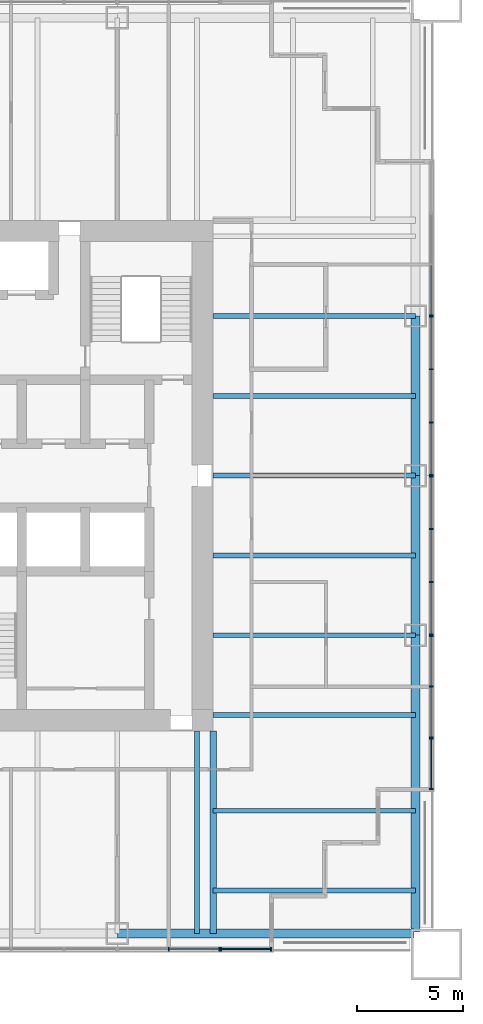
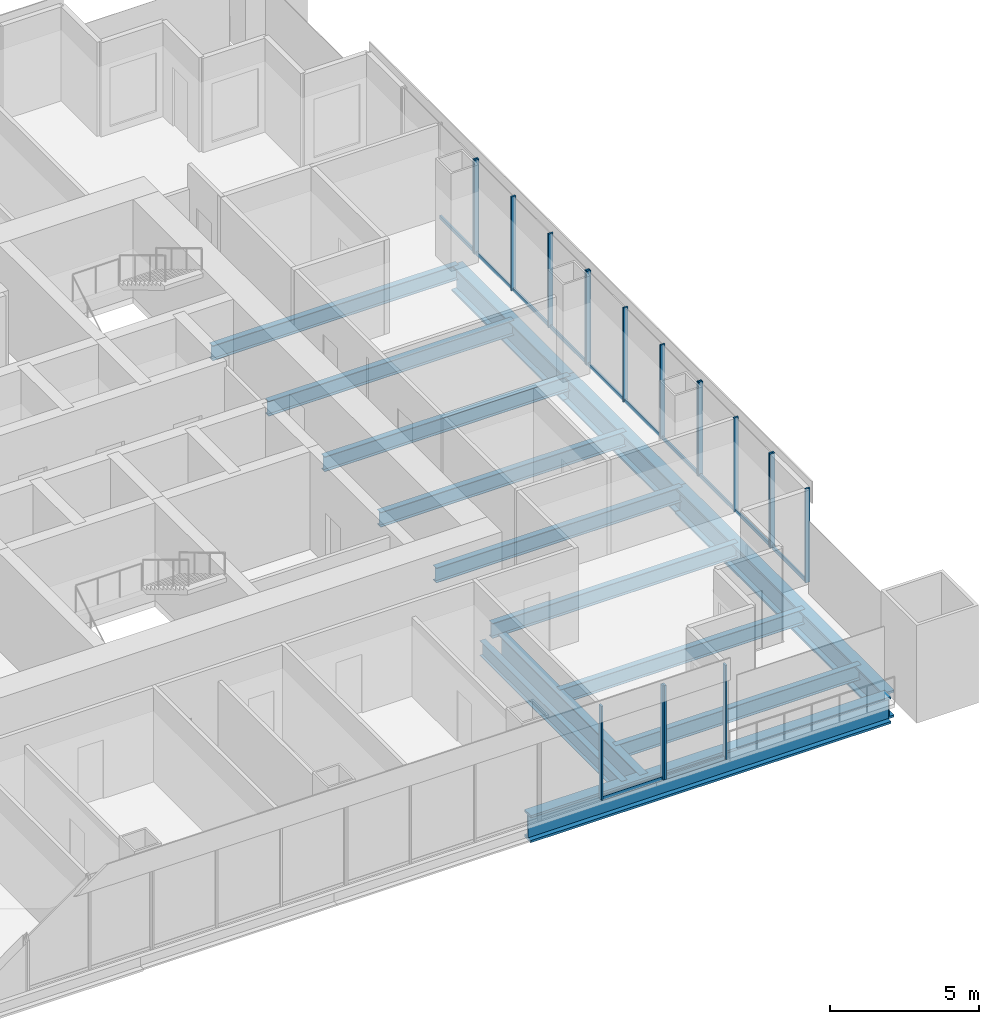
# One storey, part 4 of 13: 30 members, 14 beams, 7 elements without a shape of their own.
"""IFC4 building model written with IfcOpenShell, lengths in metres."""

from ifc_helpers import new_model, si_unit, direction, frame, origin, origin_2d, place, context, subcontext, project, spatial, rectangle, i_section, extrude, material, material_profile, profile_set, type_object, element, aggregate, save


model = new_model("IFC4")

# Units and contexts
model_context = context("Model", 3, precision=1e-05, world=origin(), true_north=direction((0.0, 1.0)))
body_context = subcontext(model_context, "Body", "Model", "MODEL_VIEW")
ifc_project = project(units=[si_unit("LENGTHUNIT", "METRE"), si_unit("AREAUNIT", "SQUARE_METRE"), si_unit("VOLUMEUNIT", "CUBIC_METRE"), si_unit("PLANEANGLEUNIT", "RADIAN"), si_unit("MASSUNIT", "GRAM", prefix="KILO")], contexts=[model_context])

# Site, building, storey
site_placement = place(None, origin())
site = spatial("IfcSite", under=ifc_project, at=site_placement, CompositionType="ELEMENT")
building_placement = place(site_placement, origin())
building = spatial("IfcBuilding", under=site, at=building_placement, Name="Tarangal Relay Tower", CompositionType="ELEMENT")
storey_placement = place(building_placement, frame((0.0, 0.0, 181.89990234375)))
storey = spatial("IfcBuildingStorey", under=building, at=storey_placement, Name="L37", CompositionType="ELEMENT", Elevation=181.89990234375)

# Beams
ifc_material_1 = material(Name="Steel ASTM A992", Category="steel")
ifc_material_profile_1 = material_profile(ifc_material_1, i_section(OverallWidth=0.227783203125, OverallDepth=0.60205078125, WebThickness=0.010498046875, FlangeThickness=0.014892578125, at=origin_2d()), Name="W24X68")
ifc_profile_set_1 = profile_set([ifc_material_profile_1], Name="Steel ASTM A992")
beam_type_1 = type_object("IfcBeamType", Name="Corner beam W24X68", PredefinedType="JOIST", material=ifc_profile_set_1)
for number, where, z_axis, x_axis, name in (
    (1, (12.0, -15.75, -0.450927734375), (1.0, 0.0, 0.0), (0.0, 1.0, 0.0), "Corner beam CB11 E L37"),
    (2, (12.0, -19.5, -0.450927734375), (1.0, 0.0, 0.0), (0.0, 1.0, 0.0), "Corner beam CB11 E L37"),
):
    element("IfcBeam", number, at=place(storey_placement, frame(where, z_axis=z_axis, x_axis=x_axis)), inside=storey, type_object=beam_type_1, Name=name, PredefinedType="JOIST", context=body_context, shape_type="SweptSolid", body=[
        extrude(i_section(OverallWidth=0.227783203125, OverallDepth=0.60205078125, WebThickness=0.010498046875, FlangeThickness=0.014892578125, at=origin_2d()), origin(), (0.0, 0.0, 1.0), 9.514892578125),
    ])
ifc_material_profile_2 = material_profile(ifc_material_1, i_section(OverallWidth=0.307373046875, OverallDepth=0.9423828125, WebThickness=0.022216796875, FlangeThickness=0.039794921875, at=origin_2d()), Name="W36X232")
ifc_profile_set_2 = profile_set([ifc_material_profile_2], Name="Steel ASTM A992")
beam_type_2 = type_object("IfcBeamType", Name="Corner girder W36X232", PredefinedType="BEAM", material=ifc_profile_set_2)
beam_placement = place(storey_placement, frame((12.0, -12.0, -0.62109375), z_axis=(0.0, -1.0, 0.0), x_axis=(1.0, 0.0, 0.0)))
element("IfcBeam", 3, at=beam_placement, inside=storey, type_object=beam_type_2, Name="Corner girder CG4 E L37", PredefinedType="BEAM", context=body_context, shape_type="SweptSolid", body=[
    extrude(i_section(OverallWidth=0.307373046875, OverallDepth=0.9423828125, WebThickness=0.022216796875, FlangeThickness=0.039794921875, at=origin_2d()), origin(), (0.0, 0.0, 1.0), 9.514892578125),
])
ifc_material_profile_3 = material_profile(ifc_material_1, i_section(OverallWidth=0.41650390625, OverallDepth=1.0693359375, WebThickness=0.0390625, FlangeThickness=0.070068359375, at=origin_2d()), Name="W40X503")
ifc_profile_set_3 = profile_set([ifc_material_profile_3], Name="Steel ASTM A992")
beam_type_3 = type_object("IfcBeamType", Name="Edge girder W40X503", PredefinedType="SPANDREL", material=ifc_profile_set_3)
for number, where, z_axis, x_axis, name in (
    (4, (21.514892578125, 7.5, -0.6845703125), (0.0, -1.0, 0.0), (1.0, 0.0, 0.0), "Edge girder EG8 E L37"),
    (5, (21.514892578125, 0.0, -0.6845703125), (0.0, -1.0, 0.0), (1.0, 0.0, 0.0), "Edge girder EG8 E L37"),
):
    element("IfcBeam", number, at=place(storey_placement, frame(where, z_axis=z_axis, x_axis=x_axis)), inside=storey, type_object=beam_type_3, Name=name, PredefinedType="SPANDREL", context=body_context, shape_type="SweptSolid", body=[
        extrude(i_section(OverallWidth=0.41650390625, OverallDepth=1.0693359375, WebThickness=0.0390625, FlangeThickness=0.070068359375, at=origin_2d()), origin(), (0.0, 0.0, 1.0), 7.5),
    ])
ifc_material_profile_4 = material_profile(ifc_material_1, i_section(OverallWidth=0.42919921875, OverallDepth=1.107421875, WebThickness=0.050048828125, FlangeThickness=0.08984375, at=origin_2d()), Name="W40X655")
ifc_profile_set_4 = profile_set([ifc_material_profile_4], Name="Steel ASTM A992")
beam_type_4 = type_object("IfcBeamType", Name="Edge girder W40X655", PredefinedType="SPANDREL", material=ifc_profile_set_4)
for number, where, z_axis, x_axis, name in (
    (6, (21.514892578125, -7.5, -0.70361328125), (0.0, -1.0, 0.0), (1.0, 0.0, 0.0), "Edge girder EG10 E L37"),
    (7, (21.449951171875, -21.514892578125, -0.70361328125), (-1.0, 0.0, 0.0), (0.0, -1.0, 0.0), "Edge girder EG10 S L37"),
):
    element("IfcBeam", number, at=place(storey_placement, frame(where, z_axis=z_axis, x_axis=x_axis)), inside=storey, type_object=beam_type_4, Name=name, PredefinedType="SPANDREL", context=body_context, shape_type="SweptSolid", body=[
        extrude(i_section(OverallWidth=0.42919921875, OverallDepth=1.107421875, WebThickness=0.050048828125, FlangeThickness=0.08984375, at=origin_2d()), origin(), (0.0, 0.0, 1.0), 13.949951171875),
    ])
ifc_material_profile_5 = material_profile(ifc_material_1, i_section(OverallWidth=0.22900390625, OverallDepth=0.612060546875, WebThickness=0.011962890625, FlangeThickness=0.01953125, at=origin_2d()), Name="W24X84")
ifc_profile_set_5 = profile_set([ifc_material_profile_5], Name="Steel ASTM A992")
beam_type_5 = type_object("IfcBeamType", Name="Floor beam W24X84", PredefinedType="BEAM", material=ifc_profile_set_5)
for number, where, z_axis, x_axis, name in (
    (8, (12.0, 7.5, -0.455810546875), (1.0, 0.0, 0.0), (0.0, 1.0, 0.0), "Floor beam RB12 E L37"),
    (9, (12.0, 3.75, -0.455810546875), (1.0, 0.0, 0.0), (0.0, 1.0, 0.0), "Floor beam RB12 E L37"),
    (10, (12.0, 0.0, -0.455810546875), (1.0, 0.0, 0.0), (0.0, 1.0, 0.0), "Floor beam RB12 E L37"),
    (11, (12.0, -3.75, -0.455810546875), (1.0, 0.0, 0.0), (0.0, 1.0, 0.0), "Floor beam RB12 E L37"),
    (12, (12.0, -7.5, -0.455810546875), (1.0, 0.0, 0.0), (0.0, 1.0, 0.0), "Floor beam RB12 E L37"),
    (13, (12.0, -11.25, -0.455810546875), (1.0, 0.0, 0.0), (0.0, 1.0, 0.0), "Floor beam RB12 E L37"),
    (14, (11.25, -12.0, -0.455810546875), (0.0, -1.0, 0.0), (1.0, 0.0, 0.0), "Floor beam RB12 S L37"),
):
    element("IfcBeam", number, at=place(storey_placement, frame(where, z_axis=z_axis, x_axis=x_axis)), inside=storey, type_object=beam_type_5, Name=name, PredefinedType="BEAM", context=body_context, shape_type="SweptSolid", body=[
        extrude(i_section(OverallWidth=0.22900390625, OverallDepth=0.612060546875, WebThickness=0.011962890625, FlangeThickness=0.01953125, at=origin_2d()), origin(), (0.0, 0.0, 1.0), 9.514892578125),
    ])

# Curtain wall, member
ifc_material_2 = material(Name="Unitised curtain wall, dark glass and black aluminium", Category="aluminium")
curtain_wall_type_1 = type_object("IfcCurtainWallType", Name="Curtain wall CW-A", PredefinedType="USERDEFINED", material=ifc_material_2)
curtain_wall_1_placement = place(storey_placement, origin())
curtain_wall_1 = element("IfcCurtainWall", 15, at=curtain_wall_1_placement, inside=storey, type_object=curtain_wall_type_1, Name="Curtain wall CW-A E facade L37", ObjectType="UNITISED CURTAIN WALL", PredefinedType="USERDEFINED")
ifc_material_3 = material(Name="Black anodised aluminium mullion", Category="aluminium")
ifc_material_profile_6 = material_profile(ifc_material_3, rectangle(XDim=0.175048828125, YDim=0.06494140625, at=origin_2d()), Name="CW-AM 65X175")
ifc_profile_set_6 = profile_set([ifc_material_profile_6], Name="Black anodised aluminium mullion")
member_type_1 = type_object("IfcMemberType", Name="Mullion CW-A 65 x 175", PredefinedType="MULLION", material=ifc_profile_set_6)
member_1_placement = place(storey_placement, frame((22.25, 7.532470703125, 0.0), z_axis=(0.0, 0.0, 1.0), x_axis=(1.0, 0.0, 0.0)))
member_1 = element("IfcMember", 16, at=member_1_placement, type_object=member_type_1, Name="CW-A mullion 3", PredefinedType="MULLION", context=body_context, shape_type="SweptSolid", body=[
    extrude(rectangle(XDim=0.175048828125, YDim=0.06494140625, at=origin_2d()), origin(), (0.0, 0.0, 1.0), 3.85009765625),
])

# Curtain wall, members
curtain_wall_2_placement = place(storey_placement, origin())
curtain_wall_2 = element("IfcCurtainWall", 17, at=curtain_wall_2_placement, inside=storey, type_object=curtain_wall_type_1, Name="Curtain wall CW-A E facade L37", ObjectType="UNITISED CURTAIN WALL", PredefinedType="USERDEFINED")
member_2_placement = place(storey_placement, frame((22.25, 7.467529296875, 0.0), z_axis=(0.0, 0.0, 1.0), x_axis=(1.0, 0.0, 0.0)))
member_2 = element("IfcMember", 18, at=member_2_placement, type_object=member_type_1, Name="CW-A mullion 1", PredefinedType="MULLION", context=body_context, shape_type="SweptSolid", body=[
    extrude(rectangle(XDim=0.175048828125, YDim=0.06494140625, at=origin_2d()), origin(), (0.0, 0.0, 1.0), 3.85009765625),
])
member_3_placement = place(storey_placement, frame((22.25, 5.0, 0.0), z_axis=(0.0, 0.0, 1.0), x_axis=(1.0, 0.0, 0.0)))
member_3 = element("IfcMember", 19, at=member_3_placement, type_object=member_type_1, Name="CW-A mullion 2", PredefinedType="MULLION", context=body_context, shape_type="SweptSolid", body=[
    extrude(rectangle(XDim=0.175048828125, YDim=0.06494140625, at=origin_2d()), origin(), (0.0, 0.0, 1.0), 3.85009765625),
])
member_4_placement = place(storey_placement, frame((22.25, 2.5, 0.0), z_axis=(0.0, 0.0, 1.0), x_axis=(1.0, 0.0, 0.0)))
member_4 = element("IfcMember", 20, at=member_4_placement, type_object=member_type_1, Name="CW-A mullion 3", PredefinedType="MULLION", context=body_context, shape_type="SweptSolid", body=[
    extrude(rectangle(XDim=0.175048828125, YDim=0.06494140625, at=origin_2d()), origin(), (0.0, 0.0, 1.0), 3.85009765625),
])
member_5_placement = place(storey_placement, frame((22.25, 0.032470703125, 0.0), z_axis=(0.0, 0.0, 1.0), x_axis=(1.0, 0.0, 0.0)))
member_5 = element("IfcMember", 21, at=member_5_placement, type_object=member_type_1, Name="CW-A mullion 4", PredefinedType="MULLION", context=body_context, shape_type="SweptSolid", body=[
    extrude(rectangle(XDim=0.175048828125, YDim=0.06494140625, at=origin_2d()), origin(), (0.0, 0.0, 1.0), 3.85009765625),
])

curtain_wall_3_placement = place(storey_placement, origin())
curtain_wall_3 = element("IfcCurtainWall", 22, at=curtain_wall_3_placement, inside=storey, type_object=curtain_wall_type_1, Name="Curtain wall CW-A E facade L37", ObjectType="UNITISED CURTAIN WALL", PredefinedType="USERDEFINED")
member_6_placement = place(storey_placement, frame((22.25, -0.032470703125, 0.0), z_axis=(0.0, 0.0, 1.0), x_axis=(1.0, 0.0, 0.0)))
member_6 = element("IfcMember", 23, at=member_6_placement, type_object=member_type_1, Name="CW-A mullion 1", PredefinedType="MULLION", context=body_context, shape_type="SweptSolid", body=[
    extrude(rectangle(XDim=0.175048828125, YDim=0.06494140625, at=origin_2d()), origin(), (0.0, 0.0, 1.0), 3.85009765625),
])
member_7_placement = place(storey_placement, frame((22.25, -2.5, 0.0), z_axis=(0.0, 0.0, 1.0), x_axis=(1.0, 0.0, 0.0)))
member_7 = element("IfcMember", 24, at=member_7_placement, type_object=member_type_1, Name="CW-A mullion 2", PredefinedType="MULLION", context=body_context, shape_type="SweptSolid", body=[
    extrude(rectangle(XDim=0.175048828125, YDim=0.06494140625, at=origin_2d()), origin(), (0.0, 0.0, 1.0), 3.85009765625),
])
member_8_placement = place(storey_placement, frame((22.25, -5.0, 0.0), z_axis=(0.0, 0.0, 1.0), x_axis=(1.0, 0.0, 0.0)))
member_8 = element("IfcMember", 25, at=member_8_placement, type_object=member_type_1, Name="CW-A mullion 3", PredefinedType="MULLION", context=body_context, shape_type="SweptSolid", body=[
    extrude(rectangle(XDim=0.175048828125, YDim=0.06494140625, at=origin_2d()), origin(), (0.0, 0.0, 1.0), 3.85009765625),
])
member_9_placement = place(storey_placement, frame((22.25, -7.467529296875, 0.0), z_axis=(0.0, 0.0, 1.0), x_axis=(1.0, 0.0, 0.0)))
member_9 = element("IfcMember", 26, at=member_9_placement, type_object=member_type_1, Name="CW-A mullion 4", PredefinedType="MULLION", context=body_context, shape_type="SweptSolid", body=[
    extrude(rectangle(XDim=0.175048828125, YDim=0.06494140625, at=origin_2d()), origin(), (0.0, 0.0, 1.0), 3.85009765625),
])

curtain_wall_4_placement = place(storey_placement, origin())
curtain_wall_4 = element("IfcCurtainWall", 27, at=curtain_wall_4_placement, inside=storey, type_object=curtain_wall_type_1, Name="Curtain wall CW-A E facade L37", ObjectType="UNITISED CURTAIN WALL", PredefinedType="USERDEFINED")
member_10_placement = place(storey_placement, frame((22.25, -7.532470703125, 0.0), z_axis=(0.0, 0.0, 1.0), x_axis=(1.0, 0.0, 0.0)))
member_10 = element("IfcMember", 28, at=member_10_placement, type_object=member_type_1, Name="CW-A mullion 1", PredefinedType="MULLION", context=body_context, shape_type="SweptSolid", body=[
    extrude(rectangle(XDim=0.175048828125, YDim=0.06494140625, at=origin_2d()), origin(), (0.0, 0.0, 1.0), 3.85009765625),
])
member_11_placement = place(storey_placement, frame((22.25, -9.916748046875, 0.0), z_axis=(0.0, 0.0, 1.0), x_axis=(1.0, 0.0, 0.0)))
member_11 = element("IfcMember", 29, at=member_11_placement, type_object=member_type_1, Name="CW-A mullion 2", PredefinedType="MULLION", context=body_context, shape_type="SweptSolid", body=[
    extrude(rectangle(XDim=0.175048828125, YDim=0.06494140625, at=origin_2d()), origin(), (0.0, 0.0, 1.0), 3.85009765625),
])
member_12_placement = place(storey_placement, frame((22.25, -12.30078125, 0.0), z_axis=(0.0, 0.0, 1.0), x_axis=(1.0, 0.0, 0.0)))
member_12 = element("IfcMember", 30, at=member_12_placement, type_object=member_type_1, Name="CW-A mullion 3", PredefinedType="MULLION", context=body_context, shape_type="SweptSolid", body=[
    extrude(rectangle(XDim=0.175048828125, YDim=0.06494140625, at=origin_2d()), origin(), (0.0, 0.0, 1.0), 3.85009765625),
])

curtain_wall_5_placement = place(storey_placement, origin())
curtain_wall_5 = element("IfcCurtainWall", 31, at=curtain_wall_5_placement, inside=storey, type_object=curtain_wall_type_1, Name="Curtain wall CW-A S facade L37", ObjectType="UNITISED CURTAIN WALL", PredefinedType="USERDEFINED")
member_13_placement = place(storey_placement, frame((12.30078125, -22.25, 0.0), z_axis=(0.0, 0.0, 1.0), x_axis=(0.0, -1.0, 0.0)))
member_13 = element("IfcMember", 32, at=member_13_placement, type_object=member_type_1, Name="CW-A mullion 1", PredefinedType="MULLION", context=body_context, shape_type="SweptSolid", body=[
    extrude(rectangle(XDim=0.175048828125, YDim=0.06494140625, at=origin_2d()), origin(), (0.0, 0.0, 1.0), 3.85009765625),
])
member_14_placement = place(storey_placement, frame((9.916748046875, -22.25, 0.0), z_axis=(0.0, 0.0, 1.0), x_axis=(0.0, -1.0, 0.0)))
member_14 = element("IfcMember", 33, at=member_14_placement, type_object=member_type_1, Name="CW-A mullion 2", PredefinedType="MULLION", context=body_context, shape_type="SweptSolid", body=[
    extrude(rectangle(XDim=0.175048828125, YDim=0.06494140625, at=origin_2d()), origin(), (0.0, 0.0, 1.0), 3.85009765625),
])

ifc_material_4 = material(Name="Unitised curtain wall frame, black aluminium, with metal clad infill walls", Category="aluminium")
curtain_wall_type_2 = type_object("IfcCurtainWallType", Name="Curtain wall CW-AO", PredefinedType="USERDEFINED", material=ifc_material_4)
curtain_wall_6_placement = place(storey_placement, origin())
curtain_wall_6 = element("IfcCurtainWall", 34, at=curtain_wall_6_placement, inside=storey, type_object=curtain_wall_type_2, Name="Curtain wall CW-AO E facade L37", ObjectType="UNITISED CURTAIN WALL", PredefinedType="USERDEFINED")
ifc_material_profile_7 = material_profile(ifc_material_3, rectangle(XDim=0.175048828125, YDim=0.06494140625, at=origin_2d()), Name="CW-AOM 65X175")
ifc_profile_set_7 = profile_set([ifc_material_profile_7], Name="Black anodised aluminium mullion")
member_type_2 = type_object("IfcMemberType", Name="Mullion CW-AO 65 x 175", PredefinedType="MULLION", material=ifc_profile_set_7)
member_15_placement = place(storey_placement, frame((22.25, -12.36572265625, 0.0), z_axis=(0.0, 0.0, 1.0), x_axis=(1.0, 0.0, 0.0)))
member_15 = element("IfcMember", 35, at=member_15_placement, type_object=member_type_2, Name="CW-AO mullion 1", PredefinedType="MULLION", context=body_context, shape_type="SweptSolid", body=[
    extrude(rectangle(XDim=0.175048828125, YDim=0.06494140625, at=origin_2d()), origin(), (0.0, 0.0, 1.0), 3.85009765625),
])
member_16_placement = place(storey_placement, frame((22.25, -14.717529296875, 0.0), z_axis=(0.0, 0.0, 1.0), x_axis=(1.0, 0.0, 0.0)))
member_16 = element("IfcMember", 36, at=member_16_placement, type_object=member_type_2, Name="CW-AO mullion 2", PredefinedType="MULLION", context=body_context, shape_type="SweptSolid", body=[
    extrude(rectangle(XDim=0.175048828125, YDim=0.06494140625, at=origin_2d()), origin(), (0.0, 0.0, 1.0), 3.85009765625),
])

curtain_wall_7_placement = place(storey_placement, origin())
curtain_wall_7 = element("IfcCurtainWall", 37, at=curtain_wall_7_placement, inside=storey, type_object=curtain_wall_type_2, Name="Curtain wall CW-AO S facade L37", ObjectType="UNITISED CURTAIN WALL", PredefinedType="USERDEFINED")
member_17_placement = place(storey_placement, frame((14.717529296875, -22.25, 0.0), z_axis=(0.0, 0.0, 1.0), x_axis=(0.0, -1.0, 0.0)))
member_17 = element("IfcMember", 38, at=member_17_placement, type_object=member_type_2, Name="CW-AO mullion 1", PredefinedType="MULLION", context=body_context, shape_type="SweptSolid", body=[
    extrude(rectangle(XDim=0.175048828125, YDim=0.06494140625, at=origin_2d()), origin(), (0.0, 0.0, 1.0), 3.85009765625),
])
member_18_placement = place(storey_placement, frame((12.36572265625, -22.25, 0.0), z_axis=(0.0, 0.0, 1.0), x_axis=(0.0, -1.0, 0.0)))
member_18 = element("IfcMember", 39, at=member_18_placement, type_object=member_type_2, Name="CW-AO mullion 2", PredefinedType="MULLION", context=body_context, shape_type="SweptSolid", body=[
    extrude(rectangle(XDim=0.175048828125, YDim=0.06494140625, at=origin_2d()), origin(), (0.0, 0.0, 1.0), 3.85009765625),
])

# Member
ifc_material_5 = material(Name="Black anodised aluminium transom", Category="aluminium")
ifc_material_profile_8 = material_profile(ifc_material_5, rectangle(XDim=0.06494140625, YDim=0.14990234375, at=origin_2d()), Name="CW-AT 65X150")
ifc_profile_set_8 = profile_set([ifc_material_profile_8], Name="Black anodised aluminium transom")
member_type_3 = type_object("IfcMemberType", Name="Transom CW-A 65 x 150", PredefinedType="USERDEFINED", material=ifc_profile_set_8)
member_19_placement = place(storey_placement, frame((22.25, 9.884033203125, 0.03271484375), z_axis=(0.0, -1.0, 0.0), x_axis=(1.0, 0.0, 0.0)))
member_19 = element("IfcMember", 40, at=member_19_placement, type_object=member_type_3, Name="CW-A transom 2.1", ObjectType="TRANSOM", PredefinedType="USERDEFINED", context=body_context, shape_type="SweptSolid", body=[
    extrude(rectangle(XDim=0.06494140625, YDim=0.14990234375, at=origin_2d()), origin(), (0.0, 0.0, 1.0), 2.319091796875),
])

aggregate(curtain_wall_1, [member_1, member_19])

member_20_placement = place(storey_placement, frame((22.25, 7.43505859375, 0.03271484375), z_axis=(0.0, -1.0, 0.0), x_axis=(1.0, 0.0, 0.0)))
member_20 = element("IfcMember", 41, at=member_20_placement, type_object=member_type_3, Name="CW-A transom 1.1", ObjectType="TRANSOM", PredefinedType="USERDEFINED", context=body_context, shape_type="SweptSolid", body=[
    extrude(rectangle(XDim=0.06494140625, YDim=0.14990234375, at=origin_2d()), origin(), (0.0, 0.0, 1.0), 2.402587890625),
])

member_21_placement = place(storey_placement, frame((22.25, 4.967529296875, 0.03271484375), z_axis=(0.0, -1.0, 0.0), x_axis=(1.0, 0.0, 0.0)))
member_21 = element("IfcMember", 42, at=member_21_placement, type_object=member_type_3, Name="CW-A transom 2.1", ObjectType="TRANSOM", PredefinedType="USERDEFINED", context=body_context, shape_type="SweptSolid", body=[
    extrude(rectangle(XDim=0.06494140625, YDim=0.14990234375, at=origin_2d()), origin(), (0.0, 0.0, 1.0), 2.43505859375),
])

member_22_placement = place(storey_placement, frame((22.25, 2.467529296875, 0.03271484375), z_axis=(0.0, -1.0, 0.0), x_axis=(1.0, 0.0, 0.0)))
member_22 = element("IfcMember", 43, at=member_22_placement, type_object=member_type_3, Name="CW-A transom 3.1", ObjectType="TRANSOM", PredefinedType="USERDEFINED", context=body_context, shape_type="SweptSolid", body=[
    extrude(rectangle(XDim=0.06494140625, YDim=0.14990234375, at=origin_2d()), origin(), (0.0, 0.0, 1.0), 2.402587890625),
])

aggregate(curtain_wall_2, [member_2, member_3, member_4, member_5, member_20, member_21, member_22])

member_23_placement = place(storey_placement, frame((22.25, -0.06494140625, 0.03271484375), z_axis=(0.0, -1.0, 0.0), x_axis=(1.0, 0.0, 0.0)))
member_23 = element("IfcMember", 44, at=member_23_placement, type_object=member_type_3, Name="CW-A transom 1.1", ObjectType="TRANSOM", PredefinedType="USERDEFINED", context=body_context, shape_type="SweptSolid", body=[
    extrude(rectangle(XDim=0.06494140625, YDim=0.14990234375, at=origin_2d()), origin(), (0.0, 0.0, 1.0), 2.402587890625),
])

member_24_placement = place(storey_placement, frame((22.25, -2.532470703125, 0.03271484375), z_axis=(0.0, -1.0, 0.0), x_axis=(1.0, 0.0, 0.0)))
member_24 = element("IfcMember", 45, at=member_24_placement, type_object=member_type_3, Name="CW-A transom 2.1", ObjectType="TRANSOM", PredefinedType="USERDEFINED", context=body_context, shape_type="SweptSolid", body=[
    extrude(rectangle(XDim=0.06494140625, YDim=0.14990234375, at=origin_2d()), origin(), (0.0, 0.0, 1.0), 2.43505859375),
])

member_25_placement = place(storey_placement, frame((22.25, -5.032470703125, 0.03271484375), z_axis=(0.0, -1.0, 0.0), x_axis=(1.0, 0.0, 0.0)))
member_25 = element("IfcMember", 46, at=member_25_placement, type_object=member_type_3, Name="CW-A transom 3.1", ObjectType="TRANSOM", PredefinedType="USERDEFINED", context=body_context, shape_type="SweptSolid", body=[
    extrude(rectangle(XDim=0.06494140625, YDim=0.14990234375, at=origin_2d()), origin(), (0.0, 0.0, 1.0), 2.402587890625),
])

aggregate(curtain_wall_3, [member_6, member_7, member_8, member_9, member_23, member_24, member_25])

member_26_placement = place(storey_placement, frame((22.25, -7.56494140625, 0.03271484375), z_axis=(0.0, -1.0, 0.0), x_axis=(1.0, 0.0, 0.0)))
member_26 = element("IfcMember", 47, at=member_26_placement, type_object=member_type_3, Name="CW-A transom 1.1", ObjectType="TRANSOM", PredefinedType="USERDEFINED", context=body_context, shape_type="SweptSolid", body=[
    extrude(rectangle(XDim=0.06494140625, YDim=0.14990234375, at=origin_2d()), origin(), (0.0, 0.0, 1.0), 2.319091796875),
])

member_27_placement = place(storey_placement, frame((22.25, -9.94921875, 0.03271484375), z_axis=(0.0, -1.0, 0.0), x_axis=(1.0, 0.0, 0.0)))
member_27 = element("IfcMember", 48, at=member_27_placement, type_object=member_type_3, Name="CW-A transom 2.1", ObjectType="TRANSOM", PredefinedType="USERDEFINED", context=body_context, shape_type="SweptSolid", body=[
    extrude(rectangle(XDim=0.06494140625, YDim=0.14990234375, at=origin_2d()), origin(), (0.0, 0.0, 1.0), 2.319091796875),
])

aggregate(curtain_wall_4, [member_10, member_11, member_12, member_26, member_27])

member_28_placement = place(storey_placement, frame((12.268310546875, -22.25, 0.03271484375), z_axis=(-1.0, 0.0, 0.0), x_axis=(0.0, -1.0, 0.0)))
member_28 = element("IfcMember", 49, at=member_28_placement, type_object=member_type_3, Name="CW-A transom 1.1", ObjectType="TRANSOM", PredefinedType="USERDEFINED", context=body_context, shape_type="SweptSolid", body=[
    extrude(rectangle(XDim=0.06494140625, YDim=0.14990234375, at=origin_2d()), origin(), (0.0, 0.0, 1.0), 2.319091796875),
])

aggregate(curtain_wall_5, [member_13, member_14, member_28])

ifc_material_profile_9 = material_profile(ifc_material_5, rectangle(XDim=0.06494140625, YDim=0.14990234375, at=origin_2d()), Name="CW-AOT 65X150")
ifc_profile_set_9 = profile_set([ifc_material_profile_9], Name="Black anodised aluminium transom")
member_type_4 = type_object("IfcMemberType", Name="Transom CW-AO 65 x 150", PredefinedType="USERDEFINED", material=ifc_profile_set_9)
member_29_placement = place(storey_placement, frame((22.25, -12.398193359375, 0.03271484375), z_axis=(0.0, -1.0, 0.0), x_axis=(1.0, 0.0, 0.0)))
member_29 = element("IfcMember", 50, at=member_29_placement, type_object=member_type_4, Name="CW-AO transom 1.1", ObjectType="TRANSOM", PredefinedType="USERDEFINED", context=body_context, shape_type="SweptSolid", body=[
    extrude(rectangle(XDim=0.06494140625, YDim=0.14990234375, at=origin_2d()), origin(), (0.0, 0.0, 1.0), 2.286865234375),
])

aggregate(curtain_wall_6, [member_15, member_16, member_29])

member_30_placement = place(storey_placement, frame((14.68505859375, -22.25, 0.03271484375), z_axis=(-1.0, 0.0, 0.0), x_axis=(0.0, -1.0, 0.0)))
member_30 = element("IfcMember", 51, at=member_30_placement, type_object=member_type_4, Name="CW-AO transom 1.1", ObjectType="TRANSOM", PredefinedType="USERDEFINED", context=body_context, shape_type="SweptSolid", body=[
    extrude(rectangle(XDim=0.06494140625, YDim=0.14990234375, at=origin_2d()), origin(), (0.0, 0.0, 1.0), 2.286865234375),
])

aggregate(curtain_wall_7, [member_17, member_18, member_30])

save(model, "model.ifc")
